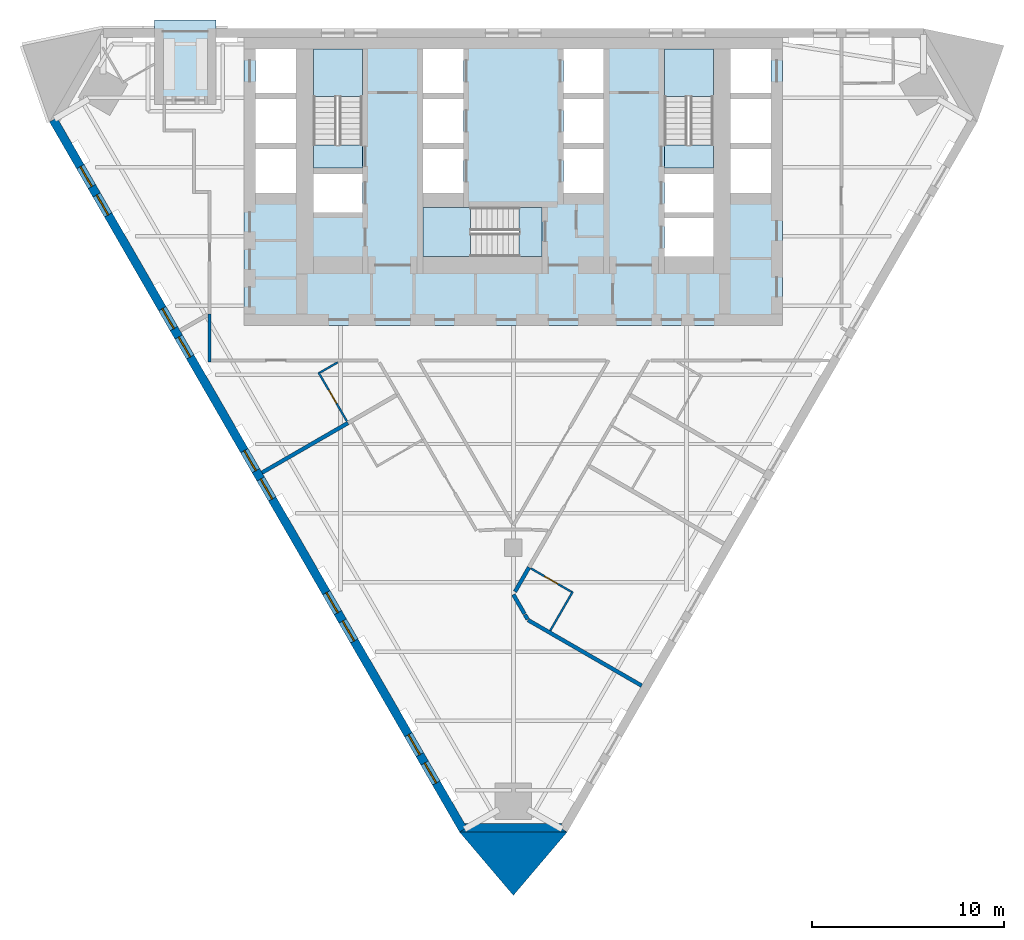
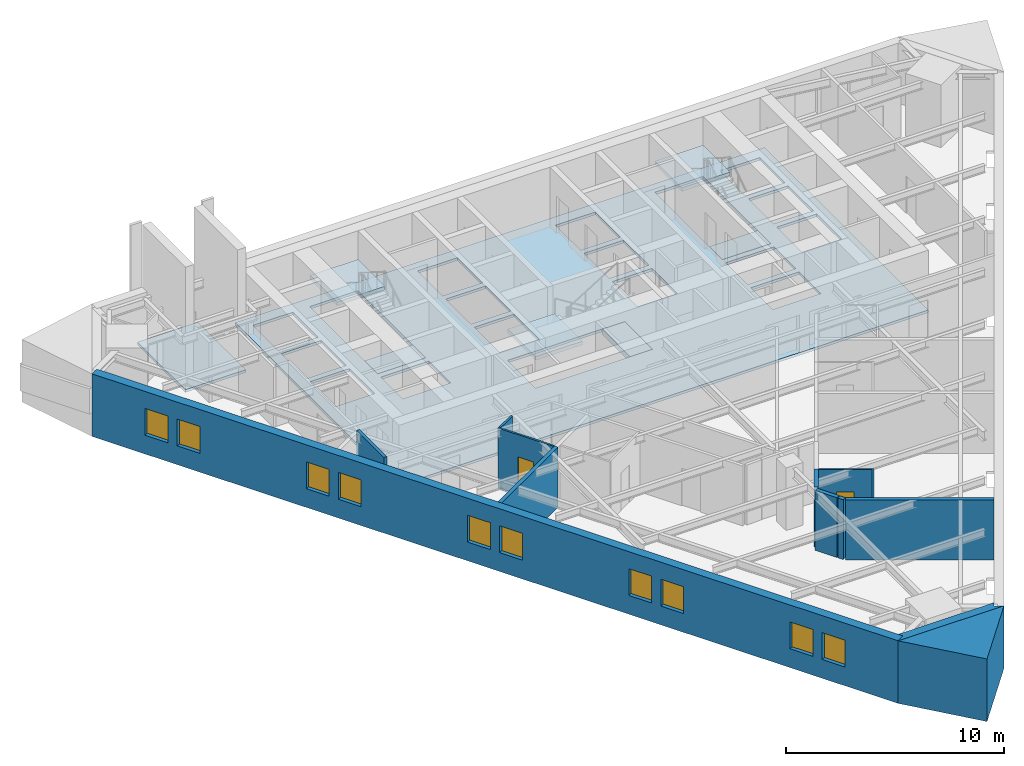
# One storey, part 2 of 9: 13 walls, 10 windows, 8 slabs, 2 doors, 12 openings, 3 elements without a shape of their own.
"""IFC4 building model written with IfcOpenShell, lengths in metres."""

from ifc_helpers import new_model, si_unit, direction, frame, frame_2d, origin, place, context, subcontext, project, spatial, polyline, rectangle, outline, extrude, material, layer, layer_set, type_object, element, fill, aggregate, save


model = new_model("IFC4")

# Units and contexts
model_context = context("Model", 3, precision=1e-05, world=origin(), true_north=direction((0.0, 1.0)))
body_context = subcontext(model_context, "Body", "Model", "MODEL_VIEW")
ifc_project = project(units=[si_unit("LENGTHUNIT", "METRE"), si_unit("AREAUNIT", "SQUARE_METRE"), si_unit("VOLUMEUNIT", "CUBIC_METRE"), si_unit("PLANEANGLEUNIT", "RADIAN"), si_unit("MASSUNIT", "GRAM", prefix="KILO")], contexts=[model_context])

# Site, building, storey
site_placement = place(None, origin())
site = spatial("IfcSite", under=ifc_project, at=site_placement, CompositionType="ELEMENT")
building_placement = place(site_placement, origin())
building = spatial("IfcBuilding", under=site, at=building_placement, Name="Aloe Facet Convention Tower", CompositionType="ELEMENT")
storey_placement = place(building_placement, frame((0.0, 0.0, 92.300048828125)))
storey = spatial("IfcBuildingStorey", under=building, at=storey_placement, Name="L22", CompositionType="ELEMENT", Elevation=92.300048828125)

# Slabs
ifc_material_1 = material(Name="Concrete C70/85", Category="concrete")
ifc_layer_1 = layer(ifc_material_1, 0.14990234375)
ifc_layer_set_1 = layer_set([ifc_layer_1], Name="CR-S-FLOOR150-C7085")
slab_type_1 = type_object("IfcSlabType", Name="CR-S-FLOOR150-C7085", PredefinedType="FLOOR", material=ifc_layer_set_1)
slab_1_placement = place(storey_placement, frame((0.0, 0.0, -0.150146484375)))
element("IfcSlab", 1, at=slab_1_placement, inside=storey, type_object=slab_type_1, Name="Core floor L22", PredefinedType="FLOOR", context=body_context, shape_type="SweptSolid", body=[
    extrude(outline(polyline([(69.300048828125, 134.550048828125), (71.85009765625, 134.550048828125), (72.75, 134.550048828125), (74.699951171875, 134.550048828125), (75.60009765625, 134.550048828125), (77.10009765625, 134.550048828125), (78.0, 134.550048828125), (82.0, 134.550048828125), (82.89990234375, 134.550048828125), (84.39990234375, 134.550048828125), (85.300048828125, 134.550048828125), (87.25, 134.550048828125), (88.14990234375, 134.550048828125), (90.699951171875, 134.550048828125), (91.0, 134.550048828125), (94.0, 134.550048828125), (94.0, 131.949951171875), (94.0, 131.050048828125), (94.0, 129.35009765625), (94.0, 128.449951171875), (94.0, 126.449951171875), (94.0, 125.85009765625), (94.0, 123.57373046875), (94.0, 122.523681640625), (94.0, 119.550048828125), (91.300048828125, 119.550048828125), (90.699951171875, 119.550048828125), (89.60009765625, 119.550048828125), (88.550048828125, 119.550048828125), (87.89990234375, 119.550048828125), (86.85009765625, 119.550048828125), (85.699951171875, 119.550048828125), (84.64990234375, 119.550048828125), (83.699951171875, 119.550048828125), (82.64990234375, 119.550048828125), (81.75, 119.550048828125), (80.699951171875, 119.550048828125), (78.550048828125, 119.550048828125), (77.5, 119.550048828125), (75.35009765625, 119.550048828125), (74.300048828125, 119.550048828125), (73.14990234375, 119.550048828125), (72.10009765625, 119.550048828125), (69.300048828125, 119.550048828125), (66.0, 119.550048828125), (66.0, 121.5), (66.0, 122.550048828125), (66.0, 123.449951171875), (66.0, 124.5), (66.0, 125.85009765625), (66.0, 126.449951171875), (66.0, 128.449951171875), (66.0, 129.35009765625), (66.0, 131.050048828125), (66.0, 131.949951171875), (66.0, 134.550048828125), (69.0, 134.550048828125), (69.300048828125, 134.550048828125)]), holes=[polyline([(75.300048828125, 123.14990234375), (80.298828125, 123.14990234375), (81.5, 123.14990234375), (81.5, 125.699951171875), (80.298828125, 125.699951171875), (75.300048828125, 125.699951171875), (75.300048828125, 123.14990234375)]), polyline([(69.60009765625, 125.449951171875), (72.14990234375, 125.449951171875), (72.14990234375, 127.449951171875), (69.60009765625, 127.449951171875), (69.60009765625, 125.449951171875)]), polyline([(66.60009765625, 126.449951171875), (68.699951171875, 126.449951171875), (68.699951171875, 128.75), (66.60009765625, 128.75), (66.60009765625, 126.449951171875)]), polyline([(75.300048828125, 126.449951171875), (77.39990234375, 126.449951171875), (77.39990234375, 128.75), (75.300048828125, 128.75), (75.300048828125, 126.449951171875)]), polyline([(66.60009765625, 129.050048828125), (68.699951171875, 129.050048828125), (68.699951171875, 131.35009765625), (66.60009765625, 131.35009765625), (66.60009765625, 129.050048828125)]), polyline([(75.300048828125, 129.050048828125), (77.39990234375, 129.050048828125), (77.39990234375, 131.35009765625), (75.300048828125, 131.35009765625), (75.300048828125, 129.050048828125)]), polyline([(69.60009765625, 133.949951171875), (69.60009765625, 128.951171875), (69.60009765625, 127.75), (72.14990234375, 127.75), (72.14990234375, 128.951171875), (72.14990234375, 133.949951171875), (69.60009765625, 133.949951171875)]), polyline([(66.60009765625, 133.949951171875), (66.60009765625, 131.64990234375), (68.699951171875, 131.64990234375), (68.699951171875, 133.949951171875), (66.60009765625, 133.949951171875)]), polyline([(75.300048828125, 133.949951171875), (75.300048828125, 131.64990234375), (77.39990234375, 131.64990234375), (77.39990234375, 133.949951171875), (75.300048828125, 133.949951171875)]), polyline([(87.85009765625, 123.14990234375), (90.39990234375, 123.14990234375), (90.39990234375, 125.14990234375), (87.85009765625, 125.14990234375), (87.85009765625, 123.14990234375)]), polyline([(87.85009765625, 125.449951171875), (90.39990234375, 125.449951171875), (90.39990234375, 127.449951171875), (87.85009765625, 127.449951171875), (87.85009765625, 125.449951171875)]), polyline([(82.60009765625, 126.449951171875), (84.699951171875, 126.449951171875), (84.699951171875, 128.75), (82.60009765625, 128.75), (82.60009765625, 126.449951171875)]), polyline([(91.300048828125, 126.449951171875), (93.39990234375, 126.449951171875), (93.39990234375, 128.75), (91.300048828125, 128.75), (91.300048828125, 126.449951171875)]), polyline([(82.60009765625, 129.050048828125), (84.699951171875, 129.050048828125), (84.699951171875, 131.35009765625), (82.60009765625, 131.35009765625), (82.60009765625, 129.050048828125)]), polyline([(91.300048828125, 129.050048828125), (93.39990234375, 129.050048828125), (93.39990234375, 131.35009765625), (91.300048828125, 131.35009765625), (91.300048828125, 129.050048828125)]), polyline([(87.85009765625, 133.949951171875), (87.85009765625, 128.951171875), (87.85009765625, 127.75), (90.39990234375, 127.75), (90.39990234375, 128.951171875), (90.39990234375, 133.949951171875), (87.85009765625, 133.949951171875)]), polyline([(82.60009765625, 133.949951171875), (82.60009765625, 131.64990234375), (84.699951171875, 131.64990234375), (84.699951171875, 133.949951171875), (82.60009765625, 133.949951171875)]), polyline([(91.300048828125, 133.949951171875), (91.300048828125, 131.64990234375), (93.39990234375, 131.64990234375), (93.39990234375, 133.949951171875), (91.300048828125, 133.949951171875)])]), origin(), (0.0, 0.0, 1.0), 0.150146484375),
])
ifc_material_2 = material(Name="Concrete C70/85", Category="concrete")
ifc_layer_2 = layer(ifc_material_2, 0.300048828125)
ifc_layer_set_2 = layer_set([ifc_layer_2], Name="CR-S-FLOOR300-C7085")
slab_type_2 = type_object("IfcSlabType", Name="CR-S-FLOOR300-C7085", PredefinedType="FLOOR", material=ifc_layer_set_2)
slab_2_placement = place(storey_placement, frame((0.0, 0.0, -0.300048828125)))
element("IfcSlab", 2, at=slab_2_placement, inside=storey, type_object=slab_type_2, Name="Stair landing floor L22", PredefinedType="FLOOR", context=body_context, shape_type="SweptSolid", body=[
    extrude(outline(polyline([(72.14990234375, 127.75), (72.14990234375, 128.951171875), (69.60009765625, 128.951171875), (69.60009765625, 127.75), (72.14990234375, 127.75)])), origin(), (0.0, 0.0, 1.0), 0.300048828125),
])
slab_3_placement = place(storey_placement, frame((0.0, 0.0, -0.300048828125)))
element("IfcSlab", 3, at=slab_3_placement, inside=storey, type_object=slab_type_2, Name="Stair landing floor L22", PredefinedType="FLOOR", context=body_context, shape_type="SweptSolid", body=[
    extrude(outline(polyline([(90.39990234375, 127.75), (90.39990234375, 128.951171875), (87.85009765625, 128.951171875), (87.85009765625, 127.75), (90.39990234375, 127.75)])), origin(), (0.0, 0.0, 1.0), 0.300048828125),
])
slab_4_placement = place(storey_placement, frame((0.0, 0.0, -0.300048828125)))
element("IfcSlab", 4, at=slab_4_placement, inside=storey, type_object=slab_type_2, Name="Stair landing floor L22", PredefinedType="FLOOR", context=body_context, shape_type="SweptSolid", body=[
    extrude(outline(polyline([(81.5, 125.699951171875), (80.298828125, 125.699951171875), (80.298828125, 123.14990234375), (81.5, 123.14990234375), (81.5, 125.699951171875)])), origin(), (0.0, 0.0, 1.0), 0.300048828125),
])

# Stair, slab
ifc_material_3 = material(Name="Concrete C50/60", Category="concrete")
stair_type = type_object("IfcStairType", Name="CR-ST-20R", PredefinedType="HALF_TURN_STAIR", material=ifc_material_3)
stair_1_placement = place(storey_placement, origin())
stair_1 = element("IfcStair", 5, at=stair_1_placement, inside=storey, type_object=stair_type, Name="L22 Protected exit stair ST1", PredefinedType="HALF_TURN_STAIR")
ifc_material_4 = material(Name="Concrete C50/60", Category="concrete")
ifc_layer_3 = layer(ifc_material_4, 0.199951171875)
ifc_layer_set_3 = layer_set([ifc_layer_3], Name="CR-SL-LANDING")
slab_type_3 = type_object("IfcSlabType", Name="CR-SL-LANDING", PredefinedType="LANDING", material=ifc_layer_set_3)
slab_5_placement = place(storey_placement, frame((0.0, 0.0, 1.550048828125)))
slab_5 = element("IfcSlab", 6, at=slab_5_placement, type_object=slab_type_3, Name="ST1 landing 1", PredefinedType="LANDING", context=body_context, shape_type="SweptSolid", body=[
    extrude(outline(polyline([(72.14990234375, 131.469970703125), (72.14990234375, 133.949951171875), (69.60009765625, 133.949951171875), (69.60009765625, 131.469970703125), (72.14990234375, 131.469970703125)])), origin(), (0.0, 0.0, 1.0), 0.199951171875),
])
aggregate(stair_1, [slab_5])

stair_2_placement = place(storey_placement, origin())
stair_2 = element("IfcStair", 7, at=stair_2_placement, inside=storey, type_object=stair_type, Name="L22 Protected exit stair ST2", PredefinedType="HALF_TURN_STAIR")
slab_6_placement = place(storey_placement, frame((0.0, 0.0, 1.550048828125)))
slab_6 = element("IfcSlab", 8, at=slab_6_placement, type_object=slab_type_3, Name="ST2 landing 1", PredefinedType="LANDING", context=body_context, shape_type="SweptSolid", body=[
    extrude(outline(polyline([(90.39990234375, 131.469970703125), (90.39990234375, 133.949951171875), (87.85009765625, 133.949951171875), (87.85009765625, 131.469970703125), (90.39990234375, 131.469970703125)])), origin(), (0.0, 0.0, 1.0), 0.199951171875),
])
aggregate(stair_2, [slab_6])

stair_3_placement = place(storey_placement, origin())
stair_3 = element("IfcStair", 9, at=stair_3_placement, inside=storey, type_object=stair_type, Name="L22 Protected exit stair ST3", PredefinedType="HALF_TURN_STAIR")
slab_7_placement = place(storey_placement, frame((0.0, 0.0, 1.550048828125)))
slab_7 = element("IfcSlab", 10, at=slab_7_placement, type_object=slab_type_3, Name="ST3 landing 1", PredefinedType="LANDING", context=body_context, shape_type="SweptSolid", body=[
    extrude(outline(polyline([(77.780029296875, 125.699951171875), (75.300048828125, 125.699951171875), (75.300048828125, 123.14990234375), (77.780029296875, 123.14990234375), (77.780029296875, 125.699951171875)])), origin(), (0.0, 0.0, 1.0), 0.199951171875),
])
aggregate(stair_3, [slab_7])

# Slab
ifc_material_5 = material(Name="Concrete C35/45", Category="concrete")
ifc_layer_4 = layer(ifc_material_5, 0.14990234375)
ifc_layer_set_4 = layer_set([ifc_layer_4], Name="SF-TS-150")
slab_type_4 = type_object("IfcSlabType", Name="SF-TS-150", PredefinedType="FLOOR", material=ifc_layer_set_4)
slab_8_placement = place(storey_placement, frame((0.0, 0.0, -0.150146484375)))
element("IfcSlab", 11, at=slab_8_placement, inside=storey, type_object=slab_type_4, Name="Terrace slab T04", PredefinedType="FLOOR", context=body_context, shape_type="SweptSolid", body=[
    extrude(outline(polyline([(64.542724609375, 135.449951171875), (64.542724609375, 131.050048828125), (61.3427734375, 131.050048828125), (61.3427734375, 135.449951171875), (64.542724609375, 135.449951171875)])), origin(), (0.0, 0.0, 1.0), 0.150146484375),
])

# Walls
ifc_material_6 = material(Name="Precast concrete C40/50", Category="concrete")
ifc_layer_5 = layer(ifc_material_6, 0.449951171875)
ifc_layer_set_5 = layer_set([ifc_layer_5], Name="EV-WALL-PIER")
wall_type_1 = type_object("IfcWallType", Name="EV-WALL-PIER", PredefinedType="SOLIDWALL", material=ifc_layer_set_5)
wall_1_placement = place(storey_placement, frame((0.0, 0.0, -0.150146484375)))
element("IfcWall", 12, at=wall_1_placement, inside=storey, type_object=wall_type_1, Name="EP-L22-B", PredefinedType="SOLIDWALL", context=body_context, shape_type="SweptSolid", body=[
    extrude(outline(polyline([(77.199951171875, 93.22021484375), (77.589599609375, 93.4453125), (77.459716796875, 93.670166015625), (82.540283203125, 93.670166015625), (82.410400390625, 93.4453125), (82.800048828125, 93.22021484375), (77.199951171875, 93.22021484375)])), origin(), (0.0, 0.0, 1.0), 3.5),
])
ifc_material_7 = material(Name="Precast concrete C40/50", Category="concrete")
ifc_layer_6 = layer(ifc_material_7, 3.947998046875)
ifc_layer_set_6 = layer_set([ifc_layer_6], Name="EV-WALL-SPINE")
wall_type_2 = type_object("IfcWallType", Name="EV-WALL-SPINE", PredefinedType="SOLIDWALL", material=ifc_layer_set_6)
wall_2_placement = place(storey_placement, frame((0.0, 0.0, -0.150146484375)))
element("IfcWall", 13, at=wall_2_placement, inside=storey, type_object=wall_type_2, Name="SP-S-L22", PredefinedType="SOLIDWALL", context=body_context, shape_type="SweptSolid", body=[
    extrude(outline(polyline([(77.199951171875, 93.22021484375), (80.0, 89.925537109375), (82.800048828125, 93.22021484375), (77.199951171875, 93.22021484375)])), origin(), (0.0, 0.0, 1.0), 3.5),
])

# Wall, openings, windows
ifc_material_8 = material(Name="Precast concrete C40/50", Category="concrete")
ifc_layer_7 = layer(ifc_material_8, 0.449951171875)
ifc_layer_set_7 = layer_set([ifc_layer_7], Name="EV-WALL-STONE")
wall_type_3 = type_object("IfcWallType", Name="EV-WALL-STONE", PredefinedType="SOLIDWALL", material=ifc_layer_set_7)
wall_3_placement = place(storey_placement, frame((56.0732421875, 130.2626953125, -0.150146484375), z_axis=(0.0, 0.0, 1.0), x_axis=(0.500000478905, -0.866025127289, 0.0)))
wall_3 = element("IfcWall", 14, at=wall_3_placement, inside=storey, type_object=wall_type_3, Name="EW-L22-W01", PredefinedType="SOLIDWALL", context=body_context, shape_type="SweptSolid", body=[
    extrude(outline(polyline([(42.64306640625, 0.0), (42.64306640625, 3.5), (0.0, 3.5), (0.0, 0.0), (42.64306640625, 0.0)])), frame((0.0, 0.22509765625, 0.0), z_axis=(0.0, -1.0, 0.0), x_axis=(1.0, 0.0, 0.0)), (0.0, 0.0, 1.0), 0.449951171875),
])
opening_1_placement = place(wall_3_placement, frame((2.814208984375, 0.0, 1.050048828125)))
opening_1 = element("IfcOpeningElement", 15, at=opening_1_placement, cuts=wall_3, Name="Opening W-L22-W01", PredefinedType="OPENING", context=body_context, shape_type="SweptSolid", body=[
    extrude(rectangle(XDim=1.199951171875, YDim=1.5, at=frame_2d((0.60009765625, 0.75))), frame((0.0, 0.23486328125, 0.0), z_axis=(0.0, -1.0, 0.0), x_axis=(1.0, 0.0, 0.0)), (0.0, 0.0, 1.0), 0.469970703125),
])
opening_2_placement = place(wall_3_placement, frame((4.514404296875, 0.0, 1.050048828125)))
opening_2 = element("IfcOpeningElement", 16, at=opening_2_placement, cuts=wall_3, Name="Opening W-L22-W02", PredefinedType="OPENING", context=body_context, shape_type="SweptSolid", body=[
    extrude(rectangle(XDim=1.199951171875, YDim=1.5, at=frame_2d((0.60009765625, 0.75))), frame((0.0, 0.23486328125, 0.0), z_axis=(0.0, -1.0, 0.0), x_axis=(1.0, 0.0, 0.0)), (0.0, 0.0, 1.0), 0.469970703125),
])
opening_3_placement = place(wall_3_placement, frame((11.343017578125, 0.0, 1.050048828125)))
opening_3 = element("IfcOpeningElement", 17, at=opening_3_placement, cuts=wall_3, Name="Opening W-L22-W03", PredefinedType="OPENING", context=body_context, shape_type="SweptSolid", body=[
    extrude(rectangle(XDim=1.199951171875, YDim=1.5, at=frame_2d((0.60009765625, 0.75))), frame((0.0, 0.23486328125, 0.0), z_axis=(0.0, -1.0, 0.0), x_axis=(1.0, 0.0, 0.0)), (0.0, 0.0, 1.0), 0.469970703125),
])
opening_4_placement = place(wall_3_placement, frame((13.04296875, 0.0, 1.050048828125)))
opening_4 = element("IfcOpeningElement", 18, at=opening_4_placement, cuts=wall_3, Name="Opening W-L22-W04", PredefinedType="OPENING", context=body_context, shape_type="SweptSolid", body=[
    extrude(rectangle(XDim=1.199951171875, YDim=1.5, at=frame_2d((0.60009765625, 0.75))), frame((0.0, 0.23486328125, 0.0), z_axis=(0.0, -1.0, 0.0), x_axis=(1.0, 0.0, 0.0)), (0.0, 0.0, 1.0), 0.469970703125),
])
opening_5_placement = place(wall_3_placement, frame((19.87158203125, 0.0, 1.050048828125)))
opening_5 = element("IfcOpeningElement", 19, at=opening_5_placement, cuts=wall_3, Name="Opening W-L22-W05", PredefinedType="OPENING", context=body_context, shape_type="SweptSolid", body=[
    extrude(rectangle(XDim=1.199951171875, YDim=1.5, at=frame_2d((0.60009765625, 0.75))), frame((0.0, 0.23486328125, 0.0), z_axis=(0.0, -1.0, 0.0), x_axis=(1.0, 0.0, 0.0)), (0.0, 0.0, 1.0), 0.469970703125),
])
opening_6_placement = place(wall_3_placement, frame((21.571533203125, 0.0, 1.050048828125)))
opening_6 = element("IfcOpeningElement", 20, at=opening_6_placement, cuts=wall_3, Name="Opening W-L22-W06", PredefinedType="OPENING", context=body_context, shape_type="SweptSolid", body=[
    extrude(rectangle(XDim=1.199951171875, YDim=1.5, at=frame_2d((0.60009765625, 0.75))), frame((0.0, 0.23486328125, 0.0), z_axis=(0.0, -1.0, 0.0), x_axis=(1.0, 0.0, 0.0)), (0.0, 0.0, 1.0), 0.469970703125),
])
opening_7_placement = place(wall_3_placement, frame((28.400146484375, 0.0, 1.050048828125)))
opening_7 = element("IfcOpeningElement", 21, at=opening_7_placement, cuts=wall_3, Name="Opening W-L22-W07", PredefinedType="OPENING", context=body_context, shape_type="SweptSolid", body=[
    extrude(rectangle(XDim=1.199951171875, YDim=1.5, at=frame_2d((0.60009765625, 0.75))), frame((0.0, 0.23486328125, 0.0), z_axis=(0.0, -1.0, 0.0), x_axis=(1.0, 0.0, 0.0)), (0.0, 0.0, 1.0), 0.469970703125),
])
opening_8_placement = place(wall_3_placement, frame((30.10009765625, 0.0, 1.050048828125)))
opening_8 = element("IfcOpeningElement", 22, at=opening_8_placement, cuts=wall_3, Name="Opening W-L22-W08", PredefinedType="OPENING", context=body_context, shape_type="SweptSolid", body=[
    extrude(rectangle(XDim=1.199951171875, YDim=1.5, at=frame_2d((0.60009765625, 0.75))), frame((0.0, 0.23486328125, 0.0), z_axis=(0.0, -1.0, 0.0), x_axis=(1.0, 0.0, 0.0)), (0.0, 0.0, 1.0), 0.469970703125),
])
opening_9_placement = place(wall_3_placement, frame((36.9287109375, 0.0, 1.050048828125)))
opening_9 = element("IfcOpeningElement", 23, at=opening_9_placement, cuts=wall_3, Name="Opening W-L22-W09", PredefinedType="OPENING", context=body_context, shape_type="SweptSolid", body=[
    extrude(rectangle(XDim=1.199951171875, YDim=1.5, at=frame_2d((0.60009765625, 0.75))), frame((0.0, 0.23486328125, 0.0), z_axis=(0.0, -1.0, 0.0), x_axis=(1.0, 0.0, 0.0)), (0.0, 0.0, 1.0), 0.469970703125),
])
opening_10_placement = place(wall_3_placement, frame((38.628662109375, 0.0, 1.050048828125)))
opening_10 = element("IfcOpeningElement", 24, at=opening_10_placement, cuts=wall_3, Name="Opening W-L22-W10", PredefinedType="OPENING", context=body_context, shape_type="SweptSolid", body=[
    extrude(rectangle(XDim=1.199951171875, YDim=1.5, at=frame_2d((0.60009765625, 0.75))), frame((0.0, 0.23486328125, 0.0), z_axis=(0.0, -1.0, 0.0), x_axis=(1.0, 0.0, 0.0)), (0.0, 0.0, 1.0), 0.469970703125),
])
ifc_material_9 = material(Name="Aluminium frame, clear double glazing", Category="aluminium")
window_type = type_object("IfcWindowType", Name="EV-WIN-H12", PartitioningType="SINGLE_PANEL", PredefinedType="WINDOW", material=ifc_material_9)
window_1_placement = place(opening_1_placement, origin())
window_1 = element("IfcWindow", 25, at=window_1_placement, inside=storey, type_object=window_type, Name="W-L22-W01", OverallHeight=1.5, OverallWidth=1.199951171875, PartitioningType="SINGLE_PANEL", PredefinedType="WINDOW", context=body_context, shape_type="SweptSolid", body=[
    extrude(rectangle(XDim=1.199951171875, YDim=1.5, at=frame_2d((0.60009765625, 0.75))), frame((0.0, 0.030029296875, 0.0), z_axis=(0.0, -1.0, 0.0), x_axis=(1.0, 0.0, 0.0)), (0.0, 0.0, 1.0), 0.06005859375),
])
fill(opening_1, window_1)
window_2_placement = place(opening_2_placement, origin())
window_2 = element("IfcWindow", 26, at=window_2_placement, inside=storey, type_object=window_type, Name="W-L22-W02", OverallHeight=1.5, OverallWidth=1.199951171875, PartitioningType="SINGLE_PANEL", PredefinedType="WINDOW", context=body_context, shape_type="SweptSolid", body=[
    extrude(rectangle(XDim=1.199951171875, YDim=1.5, at=frame_2d((0.60009765625, 0.75))), frame((0.0, 0.030029296875, 0.0), z_axis=(0.0, -1.0, 0.0), x_axis=(1.0, 0.0, 0.0)), (0.0, 0.0, 1.0), 0.06005859375),
])
fill(opening_2, window_2)
window_3_placement = place(opening_3_placement, origin())
window_3 = element("IfcWindow", 27, at=window_3_placement, inside=storey, type_object=window_type, Name="W-L22-W03", OverallHeight=1.5, OverallWidth=1.199951171875, PartitioningType="SINGLE_PANEL", PredefinedType="WINDOW", context=body_context, shape_type="SweptSolid", body=[
    extrude(rectangle(XDim=1.199951171875, YDim=1.5, at=frame_2d((0.60009765625, 0.75))), frame((0.0, 0.030029296875, 0.0), z_axis=(0.0, -1.0, 0.0), x_axis=(1.0, 0.0, 0.0)), (0.0, 0.0, 1.0), 0.06005859375),
])
fill(opening_3, window_3)
window_4_placement = place(opening_4_placement, origin())
window_4 = element("IfcWindow", 28, at=window_4_placement, inside=storey, type_object=window_type, Name="W-L22-W04", OverallHeight=1.5, OverallWidth=1.199951171875, PartitioningType="SINGLE_PANEL", PredefinedType="WINDOW", context=body_context, shape_type="SweptSolid", body=[
    extrude(rectangle(XDim=1.199951171875, YDim=1.5, at=frame_2d((0.60009765625, 0.75))), frame((0.0, 0.030029296875, 0.0), z_axis=(0.0, -1.0, 0.0), x_axis=(1.0, 0.0, 0.0)), (0.0, 0.0, 1.0), 0.06005859375),
])
fill(opening_4, window_4)
window_5_placement = place(opening_5_placement, origin())
window_5 = element("IfcWindow", 29, at=window_5_placement, inside=storey, type_object=window_type, Name="W-L22-W05", OverallHeight=1.5, OverallWidth=1.199951171875, PartitioningType="SINGLE_PANEL", PredefinedType="WINDOW", context=body_context, shape_type="SweptSolid", body=[
    extrude(rectangle(XDim=1.199951171875, YDim=1.5, at=frame_2d((0.60009765625, 0.75))), frame((0.0, 0.030029296875, 0.0), z_axis=(0.0, -1.0, 0.0), x_axis=(1.0, 0.0, 0.0)), (0.0, 0.0, 1.0), 0.06005859375),
])
fill(opening_5, window_5)
window_6_placement = place(opening_6_placement, origin())
window_6 = element("IfcWindow", 30, at=window_6_placement, inside=storey, type_object=window_type, Name="W-L22-W06", OverallHeight=1.5, OverallWidth=1.199951171875, PartitioningType="SINGLE_PANEL", PredefinedType="WINDOW", context=body_context, shape_type="SweptSolid", body=[
    extrude(rectangle(XDim=1.199951171875, YDim=1.5, at=frame_2d((0.60009765625, 0.75))), frame((0.0, 0.030029296875, 0.0), z_axis=(0.0, -1.0, 0.0), x_axis=(1.0, 0.0, 0.0)), (0.0, 0.0, 1.0), 0.06005859375),
])
fill(opening_6, window_6)
window_7_placement = place(opening_7_placement, origin())
window_7 = element("IfcWindow", 31, at=window_7_placement, inside=storey, type_object=window_type, Name="W-L22-W07", OverallHeight=1.5, OverallWidth=1.199951171875, PartitioningType="SINGLE_PANEL", PredefinedType="WINDOW", context=body_context, shape_type="SweptSolid", body=[
    extrude(rectangle(XDim=1.199951171875, YDim=1.5, at=frame_2d((0.60009765625, 0.75))), frame((0.0, 0.030029296875, 0.0), z_axis=(0.0, -1.0, 0.0), x_axis=(1.0, 0.0, 0.0)), (0.0, 0.0, 1.0), 0.06005859375),
])
fill(opening_7, window_7)
window_8_placement = place(opening_8_placement, origin())
window_8 = element("IfcWindow", 32, at=window_8_placement, inside=storey, type_object=window_type, Name="W-L22-W08", OverallHeight=1.5, OverallWidth=1.199951171875, PartitioningType="SINGLE_PANEL", PredefinedType="WINDOW", context=body_context, shape_type="SweptSolid", body=[
    extrude(rectangle(XDim=1.199951171875, YDim=1.5, at=frame_2d((0.60009765625, 0.75))), frame((0.0, 0.030029296875, 0.0), z_axis=(0.0, -1.0, 0.0), x_axis=(1.0, 0.0, 0.0)), (0.0, 0.0, 1.0), 0.06005859375),
])
fill(opening_8, window_8)
window_9_placement = place(opening_9_placement, origin())
window_9 = element("IfcWindow", 33, at=window_9_placement, inside=storey, type_object=window_type, Name="W-L22-W09", OverallHeight=1.5, OverallWidth=1.199951171875, PartitioningType="SINGLE_PANEL", PredefinedType="WINDOW", context=body_context, shape_type="SweptSolid", body=[
    extrude(rectangle(XDim=1.199951171875, YDim=1.5, at=frame_2d((0.60009765625, 0.75))), frame((0.0, 0.030029296875, 0.0), z_axis=(0.0, -1.0, 0.0), x_axis=(1.0, 0.0, 0.0)), (0.0, 0.0, 1.0), 0.06005859375),
])
fill(opening_9, window_9)
window_10_placement = place(opening_10_placement, origin())
window_10 = element("IfcWindow", 34, at=window_10_placement, inside=storey, type_object=window_type, Name="W-L22-W10", OverallHeight=1.5, OverallWidth=1.199951171875, PartitioningType="SINGLE_PANEL", PredefinedType="WINDOW", context=body_context, shape_type="SweptSolid", body=[
    extrude(rectangle(XDim=1.199951171875, YDim=1.5, at=frame_2d((0.60009765625, 0.75))), frame((0.0, 0.030029296875, 0.0), z_axis=(0.0, -1.0, 0.0), x_axis=(1.0, 0.0, 0.0)), (0.0, 0.0, 1.0), 0.06005859375),
])
fill(opening_10, window_10)

# Walls
ifc_material_10 = material(Name="Gypsum board partition on steel studs", Category="steel")
ifc_layer_8 = layer(ifc_material_10, 0.14990234375)
ifc_layer_set_8 = layer_set([ifc_layer_8], Name="IN-W-CORR")
wall_type_4 = type_object("IfcWallType", Name="IN-W-CORR", PredefinedType="PARTITIONING", material=ifc_layer_set_8)
wall_4_placement = place(storey_placement, frame((64.199951171875, 117.675048828125, 0.0), z_axis=(0.0, 0.0, 1.0), x_axis=(0.0, 1.0, 0.0)))
element("IfcWall", 35, at=wall_4_placement, inside=storey, type_object=wall_type_4, Name="Partition L22-W039", PredefinedType="PARTITIONING", context=body_context, shape_type="SweptSolid", body=[
    extrude(rectangle(XDim=2.49609375, YDim=0.14990234375, at=frame_2d((1.248046875, 0.0))), origin(), (0.0, 0.0, 1.0), 3.349853515625),
])
ifc_material_11 = material(Name="Gypsum board partition on steel studs", Category="steel")
ifc_layer_9 = layer(ifc_material_11, 0.10009765625)
ifc_layer_set_9 = layer_set([ifc_layer_9], Name="IN-W-PART")
wall_type_5 = type_object("IfcWallType", Name="IN-W-PART", PredefinedType="PARTITIONING", material=ifc_layer_set_9)
wall_5_placement = place(storey_placement, frame((81.918212890625, 103.69287109375, 0.0), z_axis=(0.0, 0.0, 1.0), x_axis=(0.500016218704, 0.866016039709, 0.0)))
element("IfcWall", 36, at=wall_5_placement, inside=storey, type_object=wall_type_5, Name="Partition L22-W007", PredefinedType="PARTITIONING", context=body_context, shape_type="SweptSolid", body=[
    extrude(rectangle(XDim=2.35009765625, YDim=0.10009765625, at=frame_2d((1.175048828125, 0.0))), origin(), (0.0, 0.0, 1.0), 3.349853515625),
])

# Wall, opening, door
wall_6_placement = place(storey_placement, frame((80.911865234375, 106.9296875, 0.0), z_axis=(0.0, 0.0, 1.0), x_axis=(0.866023955769, -0.500002508028, 0.0)))
wall_6 = element("IfcWall", 37, at=wall_6_placement, inside=storey, type_object=wall_type_5, Name="Partition L22-W008", PredefinedType="PARTITIONING", context=body_context, shape_type="SweptSolid", body=[
    extrude(rectangle(XDim=2.43994140625, YDim=0.10009765625, at=frame_2d((1.219970703125, 0.0))), origin(), (0.0, 0.0, 1.0), 3.349853515625),
])
opening_11_placement = place(wall_6_placement, frame((0.820068359375, 0.0, 0.0)))
opening_11 = element("IfcOpeningElement", 38, at=opening_11_placement, cuts=wall_6, Name="Opening L22-012", PredefinedType="OPENING", context=body_context, shape_type="SweptSolid", body=[
    extrude(rectangle(XDim=0.800048828125, YDim=2.10009765625, at=frame_2d((0.39990234375, 1.050048828125))), frame((0.0, 0.06005859375, 0.0), z_axis=(0.0, -1.0, 0.0), x_axis=(1.0, 0.0, 0.0)), (0.0, 0.0, 1.0), 0.1201171875),
])
ifc_material_12 = material(Name="Timber flush door", Category="wood")
door_type = type_object("IfcDoorType", Name="IN-D-BATH", OperationType="SINGLE_SWING_LEFT", PredefinedType="DOOR", material=ifc_material_12)
door_1_placement = place(opening_11_placement, origin())
door_1 = element("IfcDoor", 39, at=door_1_placement, inside=storey, type_object=door_type, Name="Door L22-012", OperationType="SINGLE_SWING_LEFT", OverallHeight=2.10009765625, OverallWidth=0.800048828125, PredefinedType="DOOR", context=body_context, shape_type="SweptSolid", body=[
    extrude(rectangle(XDim=0.800048828125, YDim=2.10009765625, at=frame_2d((0.39990234375, 1.050048828125))), frame((0.0, 0.02490234375, 0.0), z_axis=(0.0, -1.0, 0.0), x_axis=(1.0, 0.0, 0.0)), (0.0, 0.0, 1.0), 0.050048828125),
])
fill(opening_11, door_1)

wall_7_placement = place(storey_placement, frame((69.86376953125, 117.12646484375, 0.0), z_axis=(0.0, 0.0, 1.0), x_axis=(0.502920651267, -0.864332585599, 0.0)))
wall_7 = element("IfcWall", 40, at=wall_7_placement, inside=storey, type_object=wall_type_5, Name="Partition L22-W027", PredefinedType="PARTITIONING", context=body_context, shape_type="SweptSolid", body=[
    extrude(rectangle(XDim=2.93994140625, YDim=0.10009765625, at=frame_2d((1.469970703125, 0.0))), origin(), (0.0, 0.0, 1.0), 3.349853515625),
])
opening_12_placement = place(wall_7_placement, frame((1.070068359375, 0.0, 0.0)))
opening_12 = element("IfcOpeningElement", 41, at=opening_12_placement, cuts=wall_7, Name="Opening L22-010", PredefinedType="OPENING", context=body_context, shape_type="SweptSolid", body=[
    extrude(rectangle(XDim=0.800048828125, YDim=2.10009765625, at=frame_2d((0.39990234375, 1.050048828125))), frame((0.0, 0.06005859375, 0.0), z_axis=(0.0, -1.0, 0.0), x_axis=(1.0, 0.0, 0.0)), (0.0, 0.0, 1.0), 0.1201171875),
])
door_2_placement = place(opening_12_placement, origin())
door_2 = element("IfcDoor", 42, at=door_2_placement, inside=storey, type_object=door_type, Name="Door L22-010", OperationType="SINGLE_SWING_LEFT", OverallHeight=2.10009765625, OverallWidth=0.800048828125, PredefinedType="DOOR", context=body_context, shape_type="SweptSolid", body=[
    extrude(rectangle(XDim=0.800048828125, YDim=2.10009765625, at=frame_2d((0.39990234375, 1.050048828125))), frame((0.0, 0.02490234375, 0.0), z_axis=(0.0, -1.0, 0.0), x_axis=(1.0, 0.0, 0.0)), (0.0, 0.0, 1.0), 0.050048828125),
])
fill(opening_12, door_2)

# Walls
wall_8_placement = place(storey_placement, frame((69.94091796875, 117.11328125, 0.0), z_axis=(0.0, 0.0, 1.0), x_axis=(0.866040989419, 0.499973003918, 0.0)))
element("IfcWall", 43, at=wall_8_placement, inside=storey, type_object=wall_type_5, Name="Partition L22-W038", PredefinedType="PARTITIONING", context=body_context, shape_type="SweptSolid", body=[
    extrude(rectangle(XDim=1.068359375, YDim=0.10009765625, at=frame_2d((0.5341796875, 0.0))), origin(), (0.0, 0.0, 1.0), 3.349853515625),
])
ifc_material_13 = material(Name="Gypsum board partition on steel studs", Category="steel")
ifc_layer_10 = layer(ifc_material_13, 0.199951171875)
ifc_layer_set_10 = layer_set([ifc_layer_10], Name="IN-W-PARTY")
wall_type_6 = type_object("IfcWallType", Name="IN-W-PARTY", PredefinedType="PARTITIONING", material=ifc_layer_set_10)
wall_9_placement = place(storey_placement, frame((80.76708984375, 104.241943359375, 0.0), z_axis=(0.0, 0.0, 1.0), x_axis=(0.866027642648, -0.499996122155, 0.0)))
element("IfcWall", 44, at=wall_9_placement, inside=storey, type_object=wall_type_6, Name="Partition L22-W001", PredefinedType="PARTITIONING", context=body_context, shape_type="SweptSolid", body=[
    extrude(rectangle(XDim=6.8212890625, YDim=0.199951171875, at=frame_2d((3.41064453125, 0.0))), origin(), (0.0, 0.0, 1.0), 3.349853515625),
])
wall_10_placement = place(storey_placement, frame((80.0, 105.570556640625, 0.0), z_axis=(0.0, 0.0, 1.0), x_axis=(0.499916648857, -0.866073521242, 0.0)))
element("IfcWall", 45, at=wall_10_placement, inside=storey, type_object=wall_type_6, Name="Partition L22-W005", PredefinedType="PARTITIONING", context=body_context, shape_type="SweptSolid", body=[
    extrude(rectangle(XDim=1.160888671875, YDim=0.199951171875, at=frame_2d((0.58056640625, 0.0))), origin(), (0.0, 0.0, 1.0), 3.349853515625),
])
wall_11_placement = place(storey_placement, frame((80.086669921875, 105.720458984375, 0.0), z_axis=(0.0, 0.0, 1.0), x_axis=(0.499934806282, 0.866063040123, 0.0)))
element("IfcWall", 46, at=wall_11_placement, inside=storey, type_object=wall_type_6, Name="Partition L22-W006", PredefinedType="PARTITIONING", context=body_context, shape_type="SweptSolid", body=[
    extrude(rectangle(XDim=1.459716796875, YDim=0.199951171875, at=frame_2d((0.72998046875, 0.0))), origin(), (0.0, 0.0, 1.0), 3.349853515625),
])
wall_12_placement = place(storey_placement, frame((66.928955078125, 111.91015625, 0.0), z_axis=(0.0, 0.0, 1.0), x_axis=(0.866021702275, 0.500006411147, 0.0)))
element("IfcWall", 47, at=wall_12_placement, inside=storey, type_object=wall_type_6, Name="Partition L22-W018", PredefinedType="PARTITIONING", context=body_context, shape_type="SweptSolid", body=[
    extrude(rectangle(XDim=5.16015625, YDim=0.199951171875, at=frame_2d((2.580078125, 0.0))), origin(), (0.0, 0.0, 1.0), 3.349853515625),
])
wall_13_placement = place(storey_placement, frame((80.600341796875, 104.530517578125, 0.0), z_axis=(0.0, 0.0, 1.0), x_axis=(0.500164219654, -0.865930570761, 0.0)))
element("IfcWall", 48, at=wall_13_placement, inside=storey, type_object=wall_type_6, Name="Partition L22-W065", PredefinedType="PARTITIONING", context=body_context, shape_type="SweptSolid", body=[
    extrude(rectangle(XDim=0.287109375, YDim=0.199951171875, at=frame_2d((0.1435546875, 0.0))), origin(), (0.0, 0.0, 1.0), 3.349853515625),
])

save(model, "model.ifc")
